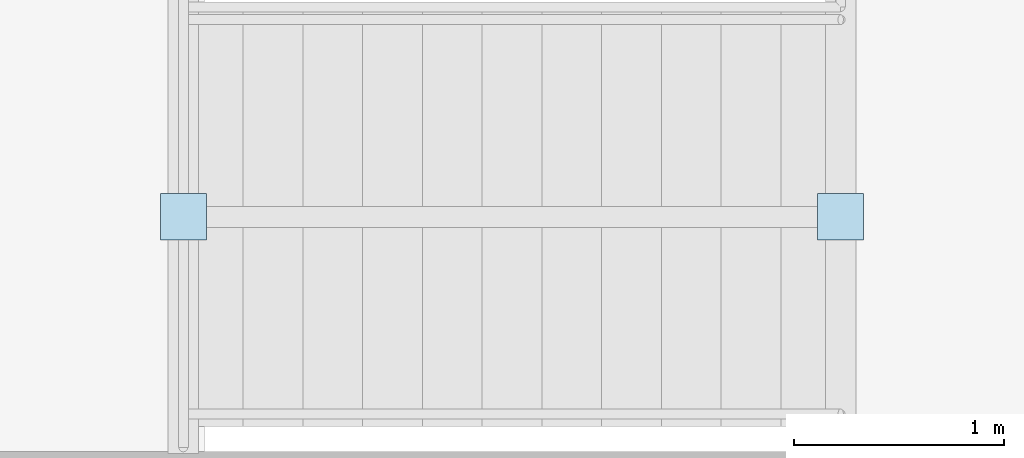
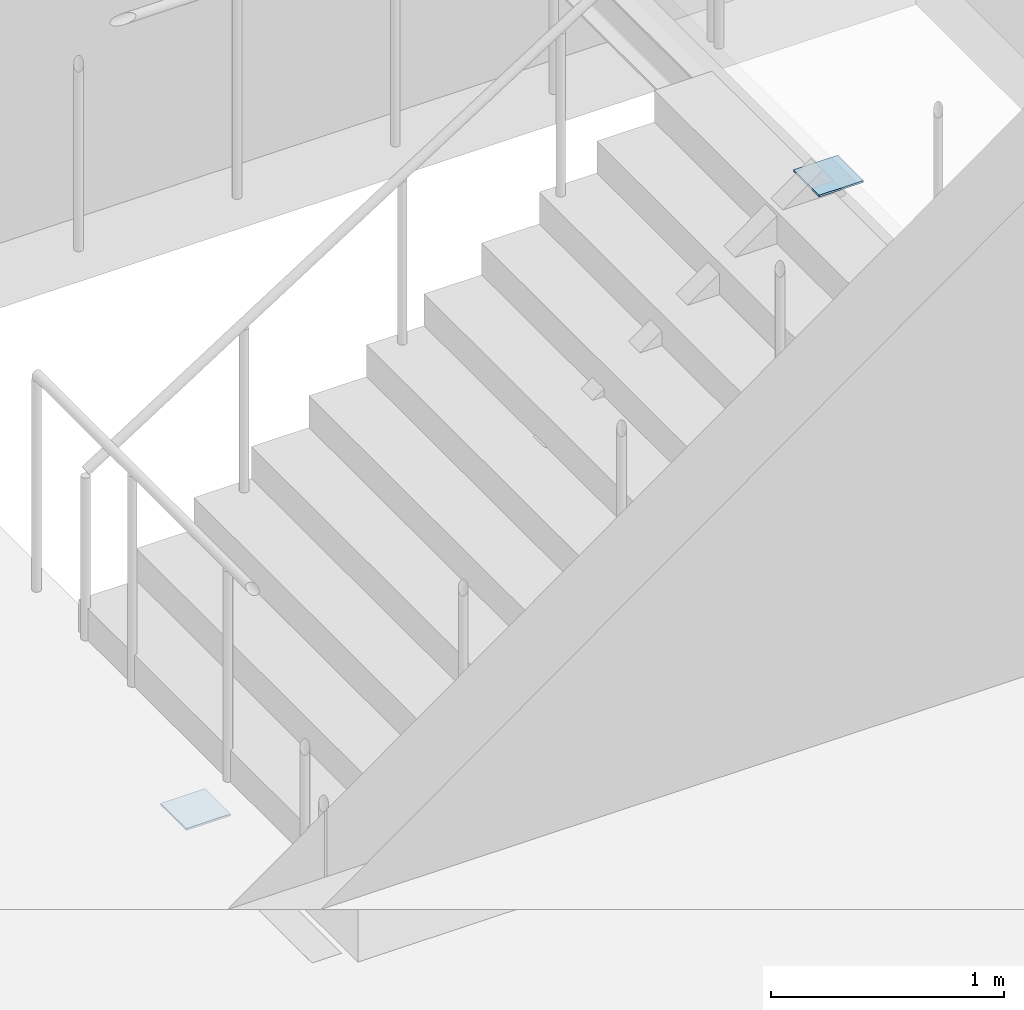
# One storey, part 61 of 76: 2 plates.
"""IFC4 building model written with IfcOpenShell, lengths in metres."""

from ifc_helpers import new_model, si_unit, direction, frame, origin, origin_2d, place, context, subcontext, project, spatial, rectangle, extrude, material, layer, layer_set, type_object, element, save


model = new_model("IFC4")

# Units and contexts
model_context = context("Model", 3, precision=1e-05, world=origin(), true_north=direction((0.0, 1.0)))
body_context = subcontext(model_context, "Body", "Model", "MODEL_VIEW")
ifc_project = project(units=[si_unit("LENGTHUNIT", "METRE"), si_unit("AREAUNIT", "SQUARE_METRE"), si_unit("VOLUMEUNIT", "CUBIC_METRE"), si_unit("PLANEANGLEUNIT", "RADIAN"), si_unit("MASSUNIT", "GRAM", prefix="KILO")], contexts=[model_context])

# Site, building, storey
site_placement = place(None, origin())
site = spatial("IfcSite", under=ifc_project, at=site_placement, CompositionType="ELEMENT")
building_placement = place(site_placement, origin())
building = spatial("IfcBuilding", under=site, at=building_placement, Name="Marnridge Secondary College", CompositionType="ELEMENT")
storey_placement = place(building_placement, frame((0.0, 0.0, 4.5)))
storey = spatial("IfcBuildingStorey", under=building, at=storey_placement, Name="L01", CompositionType="ELEMENT", Elevation=4.5)

# Plates
ifc_material = material(Name="Structural steel plate Grade 350 (AS/NZS 3678, fy = 350 MPa <=12mm, 340 MPa 12-20mm, 330 MPa 20-50mm)", Category="steel")
ifc_layer = layer(ifc_material, 0.010009765625)
ifc_layer_set = layer_set([ifc_layer], Name="PT-CAP-INT")
plate_type = type_object("IfcPlateType", Name="PT-CAP-INT", PredefinedType="SHEET", material=ifc_layer_set)
for number, where, z_axis, x_axis, name in (
    (1, (83.45166015625, 62.469970703125, -0.33203125), (0.0, 0.0, 1.0), (1.0, 0.0, 0.0), "Tube end cap STR-013-EC1"),
    (2, (86.58349609375, 62.469970703125, 1.8857421875), (0.0, 0.0, 1.0), (1.0, 0.0, 0.0), "Tube end cap STR-013-EC2"),
):
    element("IfcPlate", number, at=place(storey_placement, frame(where, z_axis=z_axis, x_axis=x_axis)), inside=storey, type_object=plate_type, Name=name, PredefinedType="SHEET", context=body_context, shape_type="SweptSolid", body=[
        extrude(rectangle(XDim=0.219970703125, YDim=0.219970703125, at=origin_2d()), origin(), (0.0, 0.0, 1.0), 0.010009765625),
    ])

save(model, "model.ifc")
